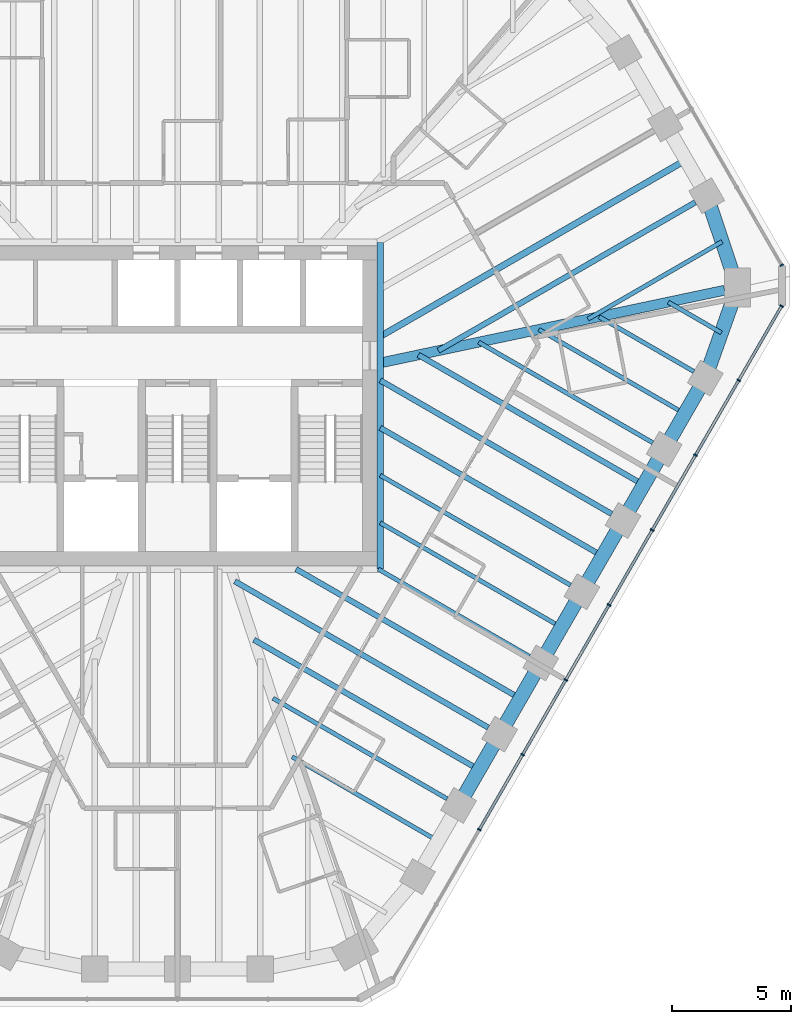
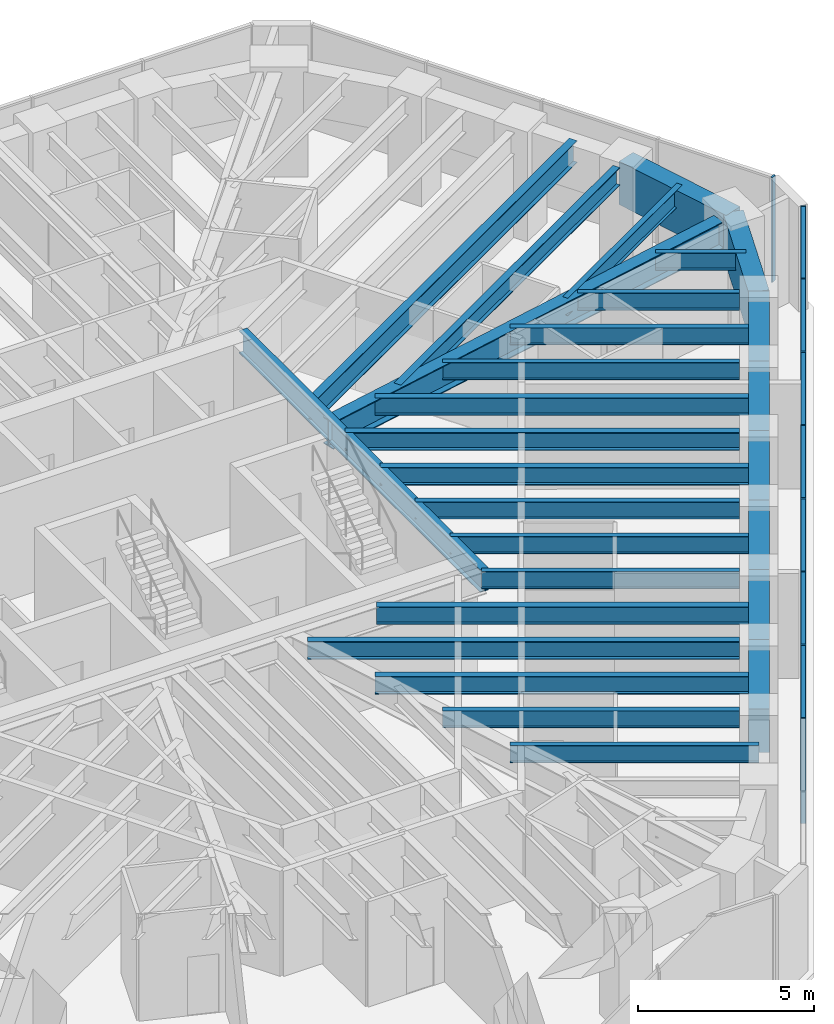
# One storey, part 5 of 14: 28 beams, 16 members, 2 elements without a shape of their own.
"""IFC4 building model written with IfcOpenShell, lengths in metres."""

from ifc_helpers import new_model, si_unit, direction, frame, origin, origin_2d, place, context, subcontext, project, spatial, rectangle, i_section, extrude, material, material_profile, profile_set, type_object, element, aggregate, save


model = new_model("IFC4")

# Units and contexts
model_context = context("Model", 3, precision=1e-05, world=origin(), true_north=direction((0.0, 1.0)))
body_context = subcontext(model_context, "Body", "Model", "MODEL_VIEW")
ifc_project = project(units=[si_unit("LENGTHUNIT", "METRE"), si_unit("AREAUNIT", "SQUARE_METRE"), si_unit("VOLUMEUNIT", "CUBIC_METRE"), si_unit("PLANEANGLEUNIT", "RADIAN"), si_unit("MASSUNIT", "GRAM", prefix="KILO")], contexts=[model_context])

# Site, building, storey
site_placement = place(None, origin())
site = spatial("IfcSite", under=ifc_project, at=site_placement, CompositionType="ELEMENT")
building_placement = place(site_placement, origin())
building = spatial("IfcBuilding", under=site, at=building_placement, Name="Sandreach Pilgrim Tower", CompositionType="ELEMENT")
storey_placement = place(building_placement, frame((0.0, 0.0, 272.199951171875)))
storey = spatial("IfcBuildingStorey", under=building, at=storey_placement, Name="L68", CompositionType="ELEMENT", Elevation=272.199951171875)

# Curtain wall, member
ifc_material_1 = material(Name="Aluminium framed curtain wall", Category="aluminium")
curtain_wall_type = type_object("IfcCurtainWallType", Name="Suite tower curtain wall", PredefinedType="NOTDEFINED", material=ifc_material_1)
curtain_wall_1_placement = place(storey_placement, origin())
curtain_wall_1 = element("IfcCurtainWall", 1, at=curtain_wall_1_placement, inside=storey, type_object=curtain_wall_type, Name="CW-4 L68 NE", PredefinedType="NOTDEFINED")
ifc_material_2 = material(Name="Aluminium extrusion", Category="aluminium")
ifc_material_profile_1 = material_profile(ifc_material_2, rectangle(XDim=0.06005859375, YDim=0.159912109375, at=origin_2d()), Name="CW-4M 60X160")
ifc_profile_set_1 = profile_set([ifc_material_profile_1], Name="Aluminium extrusion")
member_type_1 = type_object("IfcMemberType", Name="CW-4 mullion", PredefinedType="MULLION", material=ifc_profile_set_1)
member_1_placement = place(storey_placement, frame((25.304443359375, 5.8876953125, 0.0), z_axis=(0.0, 0.0, 1.0), x_axis=(0.5, -0.866025403784, 0.0)))
member_1 = element("IfcMember", 2, at=member_1_placement, type_object=member_type_1, Name="CW-4 mullion 5", PredefinedType="MULLION", context=body_context, shape_type="SweptSolid", body=[
    extrude(rectangle(XDim=0.06005859375, YDim=0.159912109375, at=origin_2d()), origin(), (0.0, 0.0, 1.0), 3.64013671875),
])
aggregate(curtain_wall_1, [member_1])

# Curtain wall, members
curtain_wall_2_placement = place(storey_placement, origin())
curtain_wall_2 = element("IfcCurtainWall", 3, at=curtain_wall_2_placement, inside=storey, type_object=curtain_wall_type, Name="CW-4 L68 SE", PredefinedType="NOTDEFINED")
member_2_placement = place(storey_placement, frame((25.304443359375, 4.175537109375, 0.0), z_axis=(0.0, 0.0, 1.0), x_axis=(-0.5, -0.866025403784, 0.0)))
member_2 = element("IfcMember", 4, at=member_2_placement, type_object=member_type_1, Name="CW-4 mullion 1", PredefinedType="MULLION", context=body_context, shape_type="SweptSolid", body=[
    extrude(rectangle(XDim=0.06005859375, YDim=0.159912109375, at=origin_2d()), origin(), (0.0, 0.0, 1.0), 3.64013671875),
])
member_3_placement = place(storey_placement, frame((23.508544921875, 1.06494140625, 0.0), z_axis=(0.0, 0.0, 1.0), x_axis=(-0.5, -0.866025403784, 0.0)))
member_3 = element("IfcMember", 5, at=member_3_placement, type_object=member_type_1, Name="CW-4 mullion 2", PredefinedType="MULLION", context=body_context, shape_type="SweptSolid", body=[
    extrude(rectangle(XDim=0.06005859375, YDim=0.159912109375, at=origin_2d()), origin(), (0.0, 0.0, 1.0), 3.64013671875),
])
member_4_placement = place(storey_placement, frame((21.697509765625, -2.071533203125, 0.0), z_axis=(0.0, 0.0, 1.0), x_axis=(-0.5, -0.866025403784, 0.0)))
member_4 = element("IfcMember", 6, at=member_4_placement, type_object=member_type_1, Name="CW-4 mullion 3", PredefinedType="MULLION", context=body_context, shape_type="SweptSolid", body=[
    extrude(rectangle(XDim=0.06005859375, YDim=0.159912109375, at=origin_2d()), origin(), (0.0, 0.0, 1.0), 3.64013671875),
])
member_5_placement = place(storey_placement, frame((19.886474609375, -5.208251953125, 0.0), z_axis=(0.0, 0.0, 1.0), x_axis=(-0.5, -0.866025403784, 0.0)))
member_5 = element("IfcMember", 7, at=member_5_placement, type_object=member_type_1, Name="CW-4 mullion 4", PredefinedType="MULLION", context=body_context, shape_type="SweptSolid", body=[
    extrude(rectangle(XDim=0.06005859375, YDim=0.159912109375, at=origin_2d()), origin(), (0.0, 0.0, 1.0), 3.64013671875),
])
member_6_placement = place(storey_placement, frame((18.07568359375, -8.344970703125, 0.0), z_axis=(0.0, 0.0, 1.0), x_axis=(-0.5, -0.866025403784, 0.0)))
member_6 = element("IfcMember", 8, at=member_6_placement, type_object=member_type_1, Name="CW-4 mullion 5", PredefinedType="MULLION", context=body_context, shape_type="SweptSolid", body=[
    extrude(rectangle(XDim=0.06005859375, YDim=0.159912109375, at=origin_2d()), origin(), (0.0, 0.0, 1.0), 3.64013671875),
])
member_7_placement = place(storey_placement, frame((16.2646484375, -11.4814453125, 0.0), z_axis=(0.0, 0.0, 1.0), x_axis=(-0.5, -0.866025403784, 0.0)))
member_7 = element("IfcMember", 9, at=member_7_placement, type_object=member_type_1, Name="CW-4 mullion 6", PredefinedType="MULLION", context=body_context, shape_type="SweptSolid", body=[
    extrude(rectangle(XDim=0.06005859375, YDim=0.159912109375, at=origin_2d()), origin(), (0.0, 0.0, 1.0), 3.64013671875),
])
member_8_placement = place(storey_placement, frame((14.453857421875, -14.6181640625, 0.0), z_axis=(0.0, 0.0, 1.0), x_axis=(-0.5, -0.866025403784, 0.0)))
member_8 = element("IfcMember", 10, at=member_8_placement, type_object=member_type_1, Name="CW-4 mullion 7", PredefinedType="MULLION", context=body_context, shape_type="SweptSolid", body=[
    extrude(rectangle(XDim=0.06005859375, YDim=0.159912109375, at=origin_2d()), origin(), (0.0, 0.0, 1.0), 3.64013671875),
])
member_9_placement = place(storey_placement, frame((12.642822265625, -17.7548828125, 0.0), z_axis=(0.0, 0.0, 1.0), x_axis=(-0.5, -0.866025403784, 0.0)))
member_9 = element("IfcMember", 11, at=member_9_placement, type_object=member_type_1, Name="CW-4 mullion 8", PredefinedType="MULLION", context=body_context, shape_type="SweptSolid", body=[
    extrude(rectangle(XDim=0.06005859375, YDim=0.159912109375, at=origin_2d()), origin(), (0.0, 0.0, 1.0), 3.64013671875),
])
ifc_material_3 = material(Name="Aluminium extrusion", Category="aluminium")
ifc_material_profile_2 = material_profile(ifc_material_3, rectangle(XDim=0.1201171875, YDim=0.070068359375, at=origin_2d()), Name="CW-4T 120X70")
ifc_profile_set_2 = profile_set([ifc_material_profile_2], Name="Aluminium extrusion")
member_type_2 = type_object("IfcMemberType", Name="CW-4 transom", PredefinedType="USERDEFINED", material=ifc_profile_set_2)
member_10_placement = place(storey_placement, frame((25.289306640625, 4.149658203125, 3.60498046875), z_axis=(-0.499997709859, -0.866026725994, 0.0), x_axis=(0.866026725994, -0.499997709859, 0.0)))
member_10 = element("IfcMember", 12, at=member_10_placement, type_object=member_type_2, Name="CW-4 head transom 1", ObjectType="TRANSOM", PredefinedType="USERDEFINED", context=body_context, shape_type="SweptSolid", body=[
    extrude(rectangle(XDim=0.1201171875, YDim=0.070068359375, at=origin_2d()), origin(), (0.0, 0.0, 1.0), 3.53173828125),
])
member_11_placement = place(storey_placement, frame((23.493408203125, 1.0390625, 3.60498046875), z_axis=(-0.500009219579, -0.866020080793, 0.0), x_axis=(0.866020080793, -0.500009219579, 0.0)))
member_11 = element("IfcMember", 13, at=member_11_placement, type_object=member_type_2, Name="CW-4 head transom 2", ObjectType="TRANSOM", PredefinedType="USERDEFINED", context=body_context, shape_type="SweptSolid", body=[
    extrude(rectangle(XDim=0.1201171875, YDim=0.070068359375, at=origin_2d()), origin(), (0.0, 0.0, 1.0), 3.56201171875),
])
member_12_placement = place(storey_placement, frame((21.6826171875, -2.09765625, 3.60498046875), z_axis=(-0.500009219579, -0.866020080793, 0.0), x_axis=(0.866020080793, -0.500009219579, 0.0)))
member_12 = element("IfcMember", 14, at=member_12_placement, type_object=member_type_2, Name="CW-4 head transom 3", ObjectType="TRANSOM", PredefinedType="USERDEFINED", context=body_context, shape_type="SweptSolid", body=[
    extrude(rectangle(XDim=0.1201171875, YDim=0.070068359375, at=origin_2d()), origin(), (0.0, 0.0, 1.0), 3.56201171875),
])
member_13_placement = place(storey_placement, frame((19.87158203125, -5.234375, 3.60498046875), z_axis=(-0.500038900691, -0.866002943295, 0.0), x_axis=(0.866002943295, -0.500038900691, 0.0)))
member_13 = element("IfcMember", 15, at=member_13_placement, type_object=member_type_2, Name="CW-4 head transom 4", ObjectType="TRANSOM", PredefinedType="USERDEFINED", context=body_context, shape_type="SweptSolid", body=[
    extrude(rectangle(XDim=0.1201171875, YDim=0.070068359375, at=origin_2d()), origin(), (0.0, 0.0, 1.0), 3.561767578125),
])
member_14_placement = place(storey_placement, frame((18.060546875, -8.370849609375, 3.60498046875), z_axis=(-0.499957811549, -0.866049759928, 0.0), x_axis=(0.866049759928, -0.499957811549, 0.0)))
member_14 = element("IfcMember", 16, at=member_14_placement, type_object=member_type_2, Name="CW-4 head transom 5", ObjectType="TRANSOM", PredefinedType="USERDEFINED", context=body_context, shape_type="SweptSolid", body=[
    extrude(rectangle(XDim=0.1201171875, YDim=0.070068359375, at=origin_2d()), origin(), (0.0, 0.0, 1.0), 3.561767578125),
])
member_15_placement = place(storey_placement, frame((16.249755859375, -11.507568359375, 3.60498046875), z_axis=(-0.500009219579, -0.866020080793, 0.0), x_axis=(0.866020080793, -0.500009219579, 0.0)))
member_15 = element("IfcMember", 17, at=member_15_placement, type_object=member_type_2, Name="CW-4 head transom 6", ObjectType="TRANSOM", PredefinedType="USERDEFINED", context=body_context, shape_type="SweptSolid", body=[
    extrude(rectangle(XDim=0.1201171875, YDim=0.070068359375, at=origin_2d()), origin(), (0.0, 0.0, 1.0), 3.56201171875),
])
member_16_placement = place(storey_placement, frame((14.438720703125, -14.64404296875, 3.60498046875), z_axis=(-0.499957811549, -0.866049759928, 0.0), x_axis=(0.866049759928, -0.499957811549, 0.0)))
member_16 = element("IfcMember", 18, at=member_16_placement, type_object=member_type_2, Name="CW-4 head transom 7", ObjectType="TRANSOM", PredefinedType="USERDEFINED", context=body_context, shape_type="SweptSolid", body=[
    extrude(rectangle(XDim=0.1201171875, YDim=0.070068359375, at=origin_2d()), origin(), (0.0, 0.0, 1.0), 3.561767578125),
])
aggregate(curtain_wall_2, [member_2, member_3, member_4, member_5, member_6, member_7, member_8, member_9, member_10, member_11, member_12, member_13, member_14, member_15, member_16])

# Beams
ifc_material_4 = material(Name="Steel ASTM A992 Grade 50", Category="steel")
ifc_material_profile_3 = material_profile(ifc_material_4, i_section(OverallWidth=0.2666015625, OverallDepth=0.77978515625, WebThickness=0.0166015625, FlangeThickness=0.030029296875, at=origin_2d()), Name="W30X148")
ifc_profile_set_3 = profile_set([ifc_material_profile_3], Name="Steel ASTM A992 Grade 50")
beam_type_1 = type_object("IfcBeamType", Name="Core edge beam W30X148", PredefinedType="BEAM", material=ifc_profile_set_3)
beam_1_placement = place(storey_placement, frame((8.493408203125, 6.84326171875, 3.250244140625), z_axis=(0.0, -1.0, 0.0), x_axis=(1.0, 0.0, 0.0)))
element("IfcBeam", 19, at=beam_1_placement, inside=storey, type_object=beam_type_1, Name="BM L68 CEE", PredefinedType="BEAM", context=body_context, shape_type="SweptSolid", body=[
    extrude(i_section(OverallWidth=0.2666015625, OverallDepth=0.77978515625, WebThickness=0.0166015625, FlangeThickness=0.030029296875, at=origin_2d()), origin(), (0.0, 0.0, 1.0), 13.6865234375),
])
ifc_material_5 = material(Name="Steel ASTM A992 Grade 50", Category="steel")
ifc_material_profile_4 = material_profile(ifc_material_5, i_section(OverallWidth=0.419189453125, OverallDepth=0.927001953125, WebThickness=0.019287109375, FlangeThickness=0.031982421875, at=origin_2d()), Name="W36X231")
ifc_profile_set_4 = profile_set([ifc_material_profile_4], Name="Steel ASTM A992 Grade 50")
beam_type_2 = type_object("IfcBeamType", Name="Corner girder W36X231", PredefinedType="BEAM", material=ifc_profile_set_4)
beam_2_placement = place(storey_placement, frame((22.917724609375, 4.838623046875, 3.176513671875), z_axis=(-0.978430270369, -0.206577360876, 0.0), x_axis=(0.206577360876, -0.978430270369, 0.0)))
element("IfcBeam", 20, at=beam_2_placement, inside=storey, type_object=beam_type_2, Name="BM L68 CG13", PredefinedType="BEAM", context=body_context, shape_type="SweptSolid", body=[
    extrude(i_section(OverallWidth=0.419189453125, OverallDepth=0.927001953125, WebThickness=0.019287109375, FlangeThickness=0.031982421875, at=origin_2d()), origin(), (0.0, 0.0, 1.0), 14.888671875),
])
ifc_material_6 = material(Name="Steel ASTM A992 Grade 50", Category="steel")
ifc_material_profile_5 = material_profile(ifc_material_6, i_section(OverallWidth=0.1787109375, OverallDepth=0.60205078125, WebThickness=0.010986328125, FlangeThickness=0.014892578125, at=origin_2d()), Name="W24X62")
ifc_profile_set_5 = profile_set([ifc_material_profile_5], Name="Steel ASTM A992 Grade 50")
beam_type_3 = type_object("IfcBeamType", Name="Floor beam W24X62", PredefinedType="BEAM", material=ifc_profile_set_5)
beam_3_placement = place(storey_placement, frame((21.631591796875, 1.433837890625, 3.339111328125), z_axis=(-0.866037621819, 0.499978837146, 0.0), x_axis=(-0.499978837146, -0.866037621819, 0.0)))
element("IfcBeam", 21, at=beam_3_placement, inside=storey, type_object=beam_type_3, Name="BM L68 F14", PredefinedType="BEAM", context=body_context, shape_type="SweptSolid", body=[
    extrude(i_section(OverallWidth=0.1787109375, OverallDepth=0.60205078125, WebThickness=0.010986328125, FlangeThickness=0.014892578125, at=origin_2d()), origin(), (0.0, 0.0, 1.0), 4.588623046875),
])
beam_4_placement = place(storey_placement, frame((19.908935546875, -1.549560546875, 3.339111328125), z_axis=(-0.866026819143, 0.499997548519, 0.0), x_axis=(-0.499997548519, -0.866026819143, 0.0)))
element("IfcBeam", 22, at=beam_4_placement, inside=storey, type_object=beam_type_3, Name="BM L68 F15", PredefinedType="BEAM", context=body_context, shape_type="SweptSolid", body=[
    extrude(i_section(OverallWidth=0.1787109375, OverallDepth=0.60205078125, WebThickness=0.010986328125, FlangeThickness=0.014892578125, at=origin_2d()), origin(), (0.0, 0.0, 1.0), 8.4248046875),
])
beam_5_placement = place(storey_placement, frame((16.4638671875, -7.516357421875, 3.339111328125), z_axis=(-0.866022580836, 0.500004889459, 0.0), x_axis=(-0.500004889459, -0.866022580836, 0.0)))
element("IfcBeam", 23, at=beam_5_placement, inside=storey, type_object=beam_type_3, Name="BM L68 F17", PredefinedType="BEAM", context=body_context, shape_type="SweptSolid", body=[
    extrude(i_section(OverallWidth=0.1787109375, OverallDepth=0.60205078125, WebThickness=0.010986328125, FlangeThickness=0.014892578125, at=origin_2d()), origin(), (0.0, 0.0, 1.0), 9.20361328125),
])
beam_6_placement = place(storey_placement, frame((14.741455078125, -10.5, 3.339111328125), z_axis=(-0.866019920622, 0.500009496996, 0.0), x_axis=(-0.500009496996, -0.866019920622, 0.0)))
element("IfcBeam", 24, at=beam_6_placement, inside=storey, type_object=beam_type_3, Name="BM L68 F18", PredefinedType="BEAM", context=body_context, shape_type="SweptSolid", body=[
    extrude(i_section(OverallWidth=0.1787109375, OverallDepth=0.60205078125, WebThickness=0.010986328125, FlangeThickness=0.014892578125, at=origin_2d()), origin(), (0.0, 0.0, 1.0), 7.313232421875),
])
beam_7_placement = place(storey_placement, frame((11.29638671875, -16.466796875, 3.339111328125), z_axis=(-0.866026819143, 0.499997548519, 0.0), x_axis=(-0.499997548519, -0.866026819143, 0.0)))
element("IfcBeam", 25, at=beam_7_placement, inside=storey, type_object=beam_type_3, Name="BM L68 F20", PredefinedType="BEAM", context=body_context, shape_type="SweptSolid", body=[
    extrude(i_section(OverallWidth=0.1787109375, OverallDepth=0.60205078125, WebThickness=0.010986328125, FlangeThickness=0.014892578125, at=origin_2d()), origin(), (0.0, 0.0, 1.0), 8.4248046875),
])
beam_8_placement = place(storey_placement, frame((22.8125, 6.875, 3.339111328125), z_axis=(-0.866023980233, -0.500002465655, 0.0), x_axis=(0.500002465655, -0.866023980233, 0.0)))
element("IfcBeam", 26, at=beam_8_placement, inside=storey, type_object=beam_type_3, Name="BM L68 FM12", PredefinedType="BEAM", context=body_context, shape_type="SweptSolid", body=[
    extrude(i_section(OverallWidth=0.1787109375, OverallDepth=0.60205078125, WebThickness=0.010986328125, FlangeThickness=0.014892578125, at=origin_2d()), origin(), (0.0, 0.0, 1.0), 6.49072265625),
])
beam_9_placement = place(storey_placement, frame((22.78173828125, 3.0556640625, 3.339111328125), z_axis=(-0.8660004255, 0.500043261163, 0.0), x_axis=(-0.500043261163, -0.8660004255, 0.0)))
element("IfcBeam", 27, at=beam_9_placement, inside=storey, type_object=beam_type_3, Name="BM L68 FM13", PredefinedType="BEAM", context=body_context, shape_type="SweptSolid", body=[
    extrude(i_section(OverallWidth=0.1787109375, OverallDepth=0.60205078125, WebThickness=0.010986328125, FlangeThickness=0.014892578125, at=origin_2d()), origin(), (0.0, 0.0, 1.0), 2.569091796875),
])
beam_10_placement = place(storey_placement, frame((21.24658203125, -0.332763671875, 3.339111328125), z_axis=(-0.866028878405, 0.499993981732, 0.0), x_axis=(-0.499993981732, -0.866028878405, 0.0)))
element("IfcBeam", 28, at=beam_10_placement, inside=storey, type_object=beam_type_3, Name="BM L68 FM14", PredefinedType="BEAM", context=body_context, shape_type="SweptSolid", body=[
    extrude(i_section(OverallWidth=0.1787109375, OverallDepth=0.60205078125, WebThickness=0.010986328125, FlangeThickness=0.014892578125, at=origin_2d()), origin(), (0.0, 0.0, 1.0), 7.056640625),
])
beam_11_placement = place(storey_placement, frame((16.0791015625, -9.283203125, 3.339111328125), z_axis=(-0.866023595995, 0.500003131169, 0.0), x_axis=(-0.500003131169, -0.866023595995, 0.0)))
element("IfcBeam", 29, at=beam_11_placement, inside=storey, type_object=beam_type_3, Name="BM L68 FM17", PredefinedType="BEAM", context=body_context, shape_type="SweptSolid", body=[
    extrude(i_section(OverallWidth=0.1787109375, OverallDepth=0.60205078125, WebThickness=0.010986328125, FlangeThickness=0.014892578125, at=origin_2d()), origin(), (0.0, 0.0, 1.0), 8.75927734375),
])
beam_12_placement = place(storey_placement, frame((10.911376953125, -18.233642578125, 3.339111328125), z_axis=(-0.866020229007, 0.50000896287, 0.0), x_axis=(-0.50000896287, -0.866020229007, 0.0)))
element("IfcBeam", 30, at=beam_12_placement, inside=storey, type_object=beam_type_3, Name="BM L68 FM20", PredefinedType="BEAM", context=body_context, shape_type="SweptSolid", body=[
    extrude(i_section(OverallWidth=0.1787109375, OverallDepth=0.60205078125, WebThickness=0.010986328125, FlangeThickness=0.014892578125, at=origin_2d()), origin(), (0.0, 0.0, 1.0), 7.056396484375),
])
ifc_material_7 = material(Name="Steel ASTM A992 Grade 50", Category="steel")
ifc_material_profile_6 = material_profile(ifc_material_7, i_section(OverallWidth=0.23046875, OverallDepth=0.6171875, WebThickness=0.01318359375, FlangeThickness=0.022216796875, at=origin_2d()), Name="W24X94")
ifc_profile_set_6 = profile_set([ifc_material_profile_6], Name="Steel ASTM A992 Grade 50")
beam_type_4 = type_object("IfcBeamType", Name="Floor beam W24X94", PredefinedType="BEAM", material=ifc_profile_set_6)
beam_13_placement = place(storey_placement, frame((21.69287109375, 8.522705078125, 3.33154296875), z_axis=(-0.866028931402, -0.499993889937, 0.0), x_axis=(0.499993889937, -0.866028931402, 0.0)))
element("IfcBeam", 31, at=beam_13_placement, inside=storey, type_object=beam_type_4, Name="BM L68 F12", PredefinedType="BEAM", context=body_context, shape_type="SweptSolid", body=[
    extrude(i_section(OverallWidth=0.23046875, OverallDepth=0.6171875, WebThickness=0.01318359375, FlangeThickness=0.022216796875, at=origin_2d()), origin(), (0.0, 0.0, 1.0), 12.431396484375),
])
beam_14_placement = place(storey_placement, frame((18.1865234375, -4.532958984375, 3.33154296875), z_axis=(-0.866030482771, 0.499991202833, 0.0), x_axis=(-0.499991202833, -0.866030482771, 0.0)))
element("IfcBeam", 32, at=beam_14_placement, inside=storey, type_object=beam_type_4, Name="BM L68 F16", PredefinedType="BEAM", context=body_context, shape_type="SweptSolid", body=[
    extrude(i_section(OverallWidth=0.23046875, OverallDepth=0.6171875, WebThickness=0.01318359375, FlangeThickness=0.022216796875, at=origin_2d()), origin(), (0.0, 0.0, 1.0), 11.192626953125),
])
beam_15_placement = place(storey_placement, frame((13.018798828125, -13.4833984375, 3.33154296875), z_axis=(-0.866019132277, 0.500010862412, 0.0), x_axis=(-0.500010862412, -0.866019132277, 0.0)))
element("IfcBeam", 33, at=beam_15_placement, inside=storey, type_object=beam_type_4, Name="BM L68 F19", PredefinedType="BEAM", context=body_context, shape_type="SweptSolid", body=[
    extrude(i_section(OverallWidth=0.23046875, OverallDepth=0.6171875, WebThickness=0.01318359375, FlangeThickness=0.022216796875, at=origin_2d()), origin(), (0.0, 0.0, 1.0), 12.261474609375),
])
beam_16_placement = place(storey_placement, frame((19.52392578125, -3.316162109375, 3.33154296875), z_axis=(-0.866029205616, 0.499993414976, 0.0), x_axis=(-0.499993414976, -0.866029205616, 0.0)))
element("IfcBeam", 34, at=beam_16_placement, inside=storey, type_object=beam_type_4, Name="BM L68 FM15", PredefinedType="BEAM", context=body_context, shape_type="SweptSolid", body=[
    extrude(i_section(OverallWidth=0.23046875, OverallDepth=0.6171875, WebThickness=0.01318359375, FlangeThickness=0.022216796875, at=origin_2d()), origin(), (0.0, 0.0, 1.0), 10.893310546875),
])
beam_17_placement = place(storey_placement, frame((17.801513671875, -6.2998046875, 3.33154296875), z_axis=(-0.866025958161, 0.49999903979, 0.0), x_axis=(-0.49999903979, -0.866025958161, 0.0)))
element("IfcBeam", 35, at=beam_17_placement, inside=storey, type_object=beam_type_4, Name="BM L68 FM16", PredefinedType="BEAM", context=body_context, shape_type="SweptSolid", body=[
    extrude(i_section(OverallWidth=0.23046875, OverallDepth=0.6171875, WebThickness=0.01318359375, FlangeThickness=0.022216796875, at=origin_2d()), origin(), (0.0, 0.0, 1.0), 10.748046875),
])
beam_18_placement = place(storey_placement, frame((14.3564453125, -12.2666015625, 3.33154296875), z_axis=(-0.866026660645, 0.499997823047, 0.0), x_axis=(-0.499997823047, -0.866026660645, 0.0)))
element("IfcBeam", 36, at=beam_18_placement, inside=storey, type_object=beam_type_4, Name="BM L68 FM18", PredefinedType="BEAM", context=body_context, shape_type="SweptSolid", body=[
    extrude(i_section(OverallWidth=0.23046875, OverallDepth=0.6171875, WebThickness=0.01318359375, FlangeThickness=0.022216796875, at=origin_2d()), origin(), (0.0, 0.0, 1.0), 10.8466796875),
])
beam_19_placement = place(storey_placement, frame((12.634033203125, -15.250244140625, 3.33154296875), z_axis=(-0.866019500887, 0.500010223979, 0.0), x_axis=(-0.500010223979, -0.866019500887, 0.0)))
element("IfcBeam", 37, at=beam_19_placement, inside=storey, type_object=beam_type_4, Name="BM L68 FM19", PredefinedType="BEAM", context=body_context, shape_type="SweptSolid", body=[
    extrude(i_section(OverallWidth=0.23046875, OverallDepth=0.6171875, WebThickness=0.01318359375, FlangeThickness=0.022216796875, at=origin_2d()), origin(), (0.0, 0.0, 1.0), 10.893310546875),
])
ifc_material_8 = material(Name="Steel ASTM A992 Grade 50", Category="steel")
ifc_material_profile_7 = material_profile(ifc_material_8, i_section(OverallWidth=0.2666015625, OverallDepth=0.761962890625, WebThickness=0.014404296875, FlangeThickness=0.021484375, at=origin_2d()), Name="W30X116")
ifc_profile_set_7 = profile_set([ifc_material_profile_7], Name="Steel ASTM A992 Grade 50")
beam_type_5 = type_object("IfcBeamType", Name="Floor beam W30X116", PredefinedType="BEAM", material=ifc_profile_set_7)
beam_20_placement = place(storey_placement, frame((21.302978515625, 10.29833984375, 3.259033203125), z_axis=(-0.866028362181, -0.499994875871, 0.0), x_axis=(0.499994875871, -0.866028362181, 0.0)))
element("IfcBeam", 38, at=beam_20_placement, inside=storey, type_object=beam_type_5, Name="BM L68 FM11", PredefinedType="BEAM", context=body_context, shape_type="SweptSolid", body=[
    extrude(i_section(OverallWidth=0.2666015625, OverallDepth=0.761962890625, WebThickness=0.014404296875, FlangeThickness=0.021484375, at=origin_2d()), origin(), (0.0, 0.0, 1.0), 14.791259765625),
])
ifc_material_9 = material(Name="Concrete 10000 psi", Category="concrete")
ifc_material_profile_8 = material_profile(ifc_material_9, rectangle(XDim=0.60009765625, YDim=1.5, at=origin_2d()), Name="RC600X1500")
ifc_profile_set_8 = profile_set([ifc_material_profile_8], Name="Concrete 10000 psi")
beam_type_6 = type_object("IfcBeamType", Name="Spandrel beam RC600X1500", PredefinedType="SPANDREL", material=ifc_profile_set_8)
beam_21_placement = place(storey_placement, frame((22.169189453125, 8.7978515625, 2.89013671875), z_axis=(0.317293238289, -0.948327475578, 0.0), x_axis=(0.948327475578, 0.317293238289, 0.0)))
element("IfcBeam", 39, at=beam_21_placement, inside=storey, type_object=beam_type_6, Name="BM L68 SP12", PredefinedType="SPANDREL", context=body_context, shape_type="SweptSolid", body=[
    extrude(rectangle(XDim=0.60009765625, YDim=1.5, at=origin_2d()), origin(), (0.0, 0.0, 1.0), 4.054931640625),
])
beam_22_placement = place(storey_placement, frame((23.455810546875, 4.952392578125, 2.89013671875), z_axis=(-0.33481464839, -0.94228400773, 0.0), x_axis=(0.94228400773, -0.33481464839, 0.0)))
element("IfcBeam", 40, at=beam_22_placement, inside=storey, type_object=beam_type_6, Name="BM L68 SP13", PredefinedType="SPANDREL", context=body_context, shape_type="SweptSolid", body=[
    extrude(rectangle(XDim=0.60009765625, YDim=1.5, at=origin_2d()), origin(), (0.0, 0.0, 1.0), 4.02587890625),
])
for number, where, z_axis, x_axis, name in (
    (41, (22.10791015625, 1.158935546875, 2.89013671875), (-0.500041441558, -0.866001476168, 0.0), (0.866001476168, -0.500041441558, 0.0), "BM L68 SP14"),
    (42, (20.38525390625, -1.824462890625, 2.89013671875), (-0.499957605418, -0.866049878924, 0.0), (0.866049878924, -0.499957605418, 0.0), "BM L68 SP15"),
    (43, (18.662841796875, -4.80810546875, 2.89013671875), (-0.500041441558, -0.866001476168, 0.0), (0.866001476168, -0.500041441558, 0.0), "BM L68 SP16"),
):
    element("IfcBeam", number, at=place(storey_placement, frame(where, z_axis=z_axis, x_axis=x_axis)), inside=storey, type_object=beam_type_6, Name=name, PredefinedType="SPANDREL", context=body_context, shape_type="SweptSolid", body=[
        extrude(rectangle(XDim=0.60009765625, YDim=1.5, at=origin_2d()), origin(), (0.0, 0.0, 1.0), 3.445068359375),
    ])
beam_23_placement = place(storey_placement, frame((16.940185546875, -7.79150390625, 2.89013671875), z_axis=(-0.499988291006, -0.866032163869, 0.0), x_axis=(0.866032163869, -0.499988291006, 0.0)))
element("IfcBeam", 44, at=beam_23_placement, inside=storey, type_object=beam_type_6, Name="BM L68 SP17", PredefinedType="SPANDREL", context=body_context, shape_type="SweptSolid", body=[
    extrude(rectangle(XDim=0.60009765625, YDim=1.5, at=origin_2d()), origin(), (0.0, 0.0, 1.0), 3.44482421875),
])
beam_24_placement = place(storey_placement, frame((15.2177734375, -10.77490234375, 2.89013671875), z_axis=(-0.500010754882, -0.866019194361, 0.0), x_axis=(0.866019194361, -0.500010754882, 0.0)))
element("IfcBeam", 45, at=beam_24_placement, inside=storey, type_object=beam_type_6, Name="BM L68 SP18", PredefinedType="SPANDREL", context=body_context, shape_type="SweptSolid", body=[
    extrude(rectangle(XDim=0.60009765625, YDim=1.5, at=origin_2d()), origin(), (0.0, 0.0, 1.0), 3.4453125),
])
beam_25_placement = place(storey_placement, frame((13.4951171875, -13.758544921875, 2.89013671875), z_axis=(-0.499988291006, -0.866032163869, 0.0), x_axis=(0.866032163869, -0.499988291006, 0.0)))
element("IfcBeam", 46, at=beam_25_placement, inside=storey, type_object=beam_type_6, Name="BM L68 SP19", PredefinedType="SPANDREL", context=body_context, shape_type="SweptSolid", body=[
    extrude(rectangle(XDim=0.60009765625, YDim=1.5, at=origin_2d()), origin(), (0.0, 0.0, 1.0), 3.44482421875),
])

save(model, "model.ifc")
